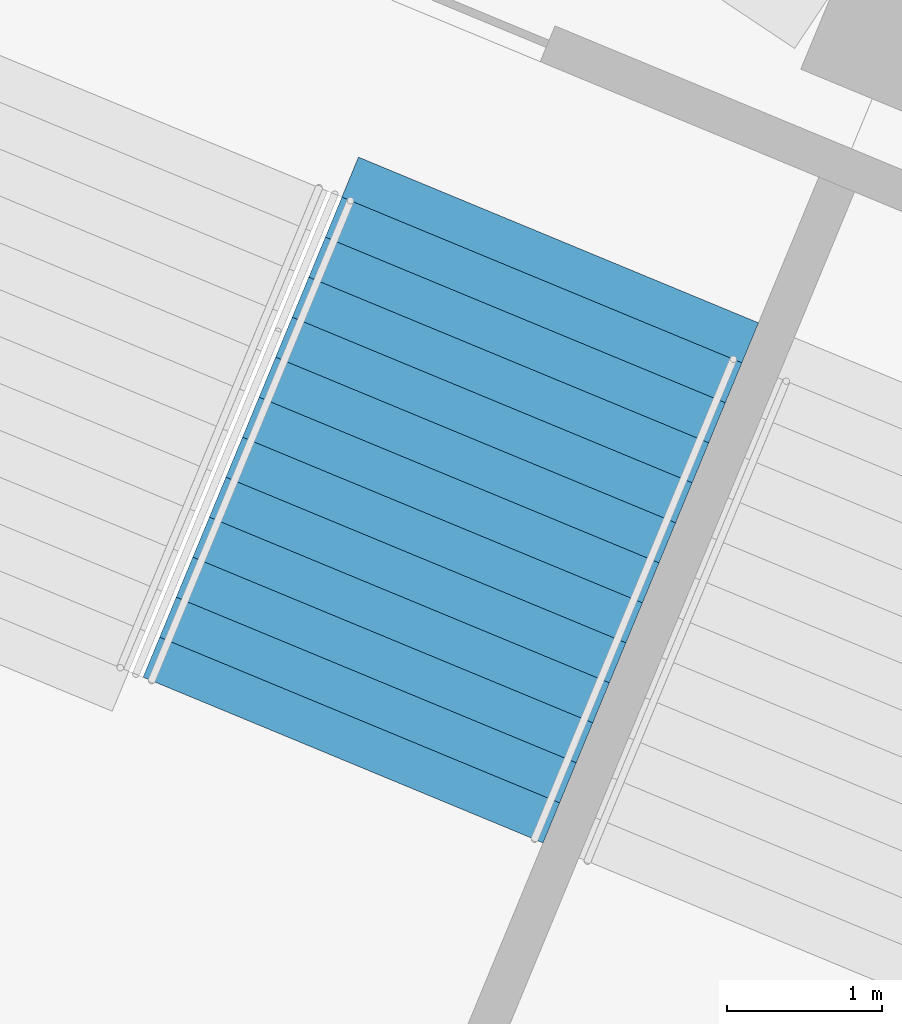
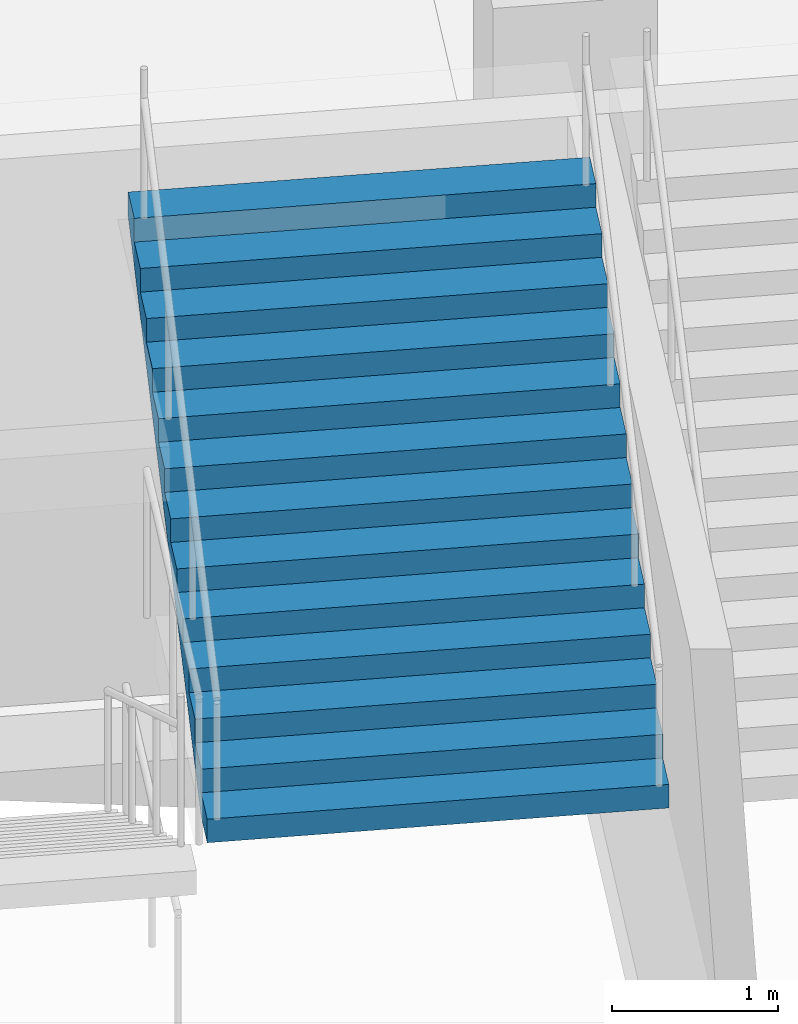
# One storey, part 107 of 199: 1 stair flight, 1 element without a shape of its own.
"""IFC4 building model written with IfcOpenShell, lengths in metres."""

from ifc_helpers import new_model, si_unit, direction, frame, origin, place, context, subcontext, project, spatial, faceted_brep, material, type_object, element, aggregate, save


model = new_model("IFC4")

# Units and contexts
model_context = context("Model", 3, precision=1e-05, world=origin(), true_north=direction((0.0, 1.0)))
body_context = subcontext(model_context, "Body", "Model", "MODEL_VIEW")
ifc_project = project(units=[si_unit("LENGTHUNIT", "METRE"), si_unit("AREAUNIT", "SQUARE_METRE"), si_unit("VOLUMEUNIT", "CUBIC_METRE"), si_unit("PLANEANGLEUNIT", "RADIAN"), si_unit("MASSUNIT", "GRAM", prefix="KILO")], contexts=[model_context])

# Site, building, storey
site_placement = place(None, origin())
site = spatial("IfcSite", under=ifc_project, at=site_placement, CompositionType="ELEMENT")
building_placement = place(site_placement, origin())
building = spatial("IfcBuilding", under=site, at=building_placement, Name="Ogive Plaza Stadium", CompositionType="ELEMENT")
storey_placement = place(building_placement, frame((0.0, 0.0, 9.0)))
storey = spatial("IfcBuildingStorey", under=building, at=storey_placement, Name="L02", CompositionType="ELEMENT", Elevation=9.0)

# Stair, stair flight
ifc_material_1 = material(Name="Concrete C40/50", Category="concrete")
stair_type = type_object("IfcStairType", Name="Exit stair", PredefinedType="STRAIGHT_RUN_STAIR", material=ifc_material_1)
stair_placement = place(storey_placement, origin())
stair = element("IfcStair", 1, at=stair_placement, inside=storey, type_object=stair_type, Name="Exit stair ST18A L02 to L03", PredefinedType="STRAIGHT_RUN_STAIR")
ifc_material_2 = material(Name="Concrete C40/50", Category="concrete")
stair_flight_type = type_object("IfcStairFlightType", Name="Exit stair flight", PredefinedType="STRAIGHT", material=ifc_material_2)
stair_flight_placement = place(storey_placement, frame((-52.9013671875, -94.14697265625, 2.25), z_axis=(0.0, 0.0, 1.0), x_axis=(0.382683432365, 0.923879532511, 0.0)))
stair_flight = element("IfcStairFlight", 2, at=stair_flight_placement, type_object=stair_flight_type, Name="ST18A flight 2", NumberOfRisers=13, NumberOfTreads=12, PredefinedType="STRAIGHT", RiserHeight=0.173076923, TreadLength=0.28, context=body_context, shape_type="Brep", body=[
    faceted_brep([(0.28515625, -1.39990234375, 0.0), (3.639892578125, -1.39990234375, 2.07373046875), (3.639892578125, -1.39990234375, 2.25), (3.360107421875, -1.39990234375, 2.25), (3.360107421875, -1.39990234375, 2.076904296875), (3.080078125, -1.39990234375, 2.076904296875), (3.080078125, -1.39990234375, 1.90380859375), (2.800048828125, -1.39990234375, 1.90380859375), (2.800048828125, -1.39990234375, 1.730712890625), (2.52001953125, -1.39990234375, 1.730712890625), (2.52001953125, -1.39990234375, 1.5576171875), (2.239990234375, -1.39990234375, 1.5576171875), (2.239990234375, -1.39990234375, 1.384521484375), (1.9599609375, -1.39990234375, 1.384521484375), (1.9599609375, -1.39990234375, 1.21142578125), (1.679931640625, -1.39990234375, 1.21142578125), (1.679931640625, -1.39990234375, 1.03857421875), (1.39990234375, -1.39990234375, 1.03857421875), (1.39990234375, -1.39990234375, 0.865478515625), (1.1201171875, -1.39990234375, 0.865478515625), (1.1201171875, -1.39990234375, 0.6923828125), (0.840087890625, -1.39990234375, 0.6923828125), (0.840087890625, -1.39990234375, 0.519287109375), (0.56005859375, -1.39990234375, 0.519287109375), (0.56005859375, -1.39990234375, 0.34619140625), (0.280029296875, -1.39990234375, 0.34619140625), (0.280029296875, -1.39990234375, 0.173095703125), (0.0, -1.39990234375, 0.173095703125), (0.0, -1.39990234375, 0.0), (0.0, 1.39990234375, 0.0), (0.0, 1.39990234375, 0.173095703125), (0.280029296875, 1.39990234375, 0.173095703125), (0.280029296875, 1.39990234375, 0.34619140625), (0.56005859375, 1.39990234375, 0.34619140625), (0.56005859375, 1.39990234375, 0.519287109375), (0.840087890625, 1.39990234375, 0.519287109375), (0.840087890625, 1.39990234375, 0.6923828125), (1.1201171875, 1.39990234375, 0.6923828125), (1.1201171875, 1.39990234375, 0.865478515625), (1.39990234375, 1.39990234375, 0.865478515625), (1.39990234375, 1.39990234375, 1.03857421875), (1.679931640625, 1.39990234375, 1.03857421875), (1.679931640625, 1.39990234375, 1.21142578125), (1.9599609375, 1.39990234375, 1.21142578125), (1.9599609375, 1.39990234375, 1.384521484375), (2.239990234375, 1.39990234375, 1.384521484375), (2.239990234375, 1.39990234375, 1.5576171875), (2.52001953125, 1.39990234375, 1.5576171875), (2.52001953125, 1.39990234375, 1.730712890625), (2.800048828125, 1.39990234375, 1.730712890625), (2.800048828125, 1.39990234375, 1.90380859375), (3.080078125, 1.39990234375, 1.90380859375), (3.080078125, 1.39990234375, 2.076904296875), (3.360107421875, 1.39990234375, 2.076904296875), (3.360107421875, 1.39990234375, 2.25), (3.639892578125, 1.39990234375, 2.25), (3.639892578125, 1.39990234375, 2.07373046875), (0.28515625, 1.39990234375, 0.0), (0.28515625, -1.0888671875, 0.0), (3.639892578125, -1.0888671875, 2.07373046875), (0.28515625, -0.77783203125, 0.0), (3.639892578125, -0.77783203125, 2.07373046875), (0.28515625, -0.466796875, 0.0), (3.639892578125, -0.466796875, 2.07373046875), (0.28515625, -0.155517578125, 0.0), (3.639892578125, -0.155517578125, 2.07373046875), (0.28515625, 0.155517578125, 0.0), (3.639892578125, 0.155517578125, 2.07373046875), (0.28515625, 0.466796875, 0.0), (3.639892578125, 0.466796875, 2.07373046875), (0.28515625, 0.77783203125, 0.0), (3.639892578125, 0.77783203125, 2.07373046875), (0.28515625, 1.0888671875, 0.0), (3.639892578125, 1.0888671875, 2.07373046875), (3.639892578125, -1.0888671875, 2.25), (3.639892578125, -0.77783203125, 2.25), (3.639892578125, -0.466796875, 2.25), (3.639892578125, -0.155517578125, 2.25), (3.639892578125, 0.155517578125, 2.25), (3.639892578125, 0.466796875, 2.25), (3.639892578125, 0.77783203125, 2.25), (3.639892578125, 1.0888671875, 2.25), (3.360107421875, -1.0888671875, 2.25), (3.360107421875, -0.77783203125, 2.25), (3.360107421875, -0.466796875, 2.25), (3.360107421875, -0.155517578125, 2.25), (3.360107421875, 0.155517578125, 2.25), (3.360107421875, 0.466796875, 2.25), (3.360107421875, 0.77783203125, 2.25), (3.360107421875, 1.0888671875, 2.25), (3.360107421875, -1.0888671875, 2.076904296875), (3.360107421875, -0.77783203125, 2.076904296875), (3.360107421875, -0.466796875, 2.076904296875), (3.360107421875, -0.155517578125, 2.076904296875), (3.360107421875, 0.155517578125, 2.076904296875), (3.360107421875, 0.466796875, 2.076904296875), (3.360107421875, 0.77783203125, 2.076904296875), (3.360107421875, 1.0888671875, 2.076904296875), (3.080078125, -1.0888671875, 2.076904296875), (3.080078125, -0.77783203125, 2.076904296875), (3.080078125, -0.466796875, 2.076904296875), (3.080078125, -0.155517578125, 2.076904296875), (3.080078125, 0.155517578125, 2.076904296875), (3.080078125, 0.466796875, 2.076904296875), (3.080078125, 0.77783203125, 2.076904296875), (3.080078125, 1.0888671875, 2.076904296875), (3.080078125, -1.0888671875, 1.90380859375), (3.080078125, -0.77783203125, 1.90380859375), (3.080078125, -0.466796875, 1.90380859375), (3.080078125, -0.155517578125, 1.90380859375), (3.080078125, 0.155517578125, 1.90380859375), (3.080078125, 0.466796875, 1.90380859375), (3.080078125, 0.77783203125, 1.90380859375), (3.080078125, 1.0888671875, 1.90380859375), (2.800048828125, -1.0888671875, 1.90380859375), (2.800048828125, -0.77783203125, 1.90380859375), (2.800048828125, -0.466796875, 1.90380859375), (2.800048828125, -0.155517578125, 1.90380859375), (2.800048828125, 0.155517578125, 1.90380859375), (2.800048828125, 0.466796875, 1.90380859375), (2.800048828125, 0.77783203125, 1.90380859375), (2.800048828125, 1.0888671875, 1.90380859375), (2.800048828125, -1.0888671875, 1.730712890625), (2.800048828125, -0.77783203125, 1.730712890625), (2.800048828125, -0.466796875, 1.730712890625), (2.800048828125, -0.155517578125, 1.730712890625), (2.800048828125, 0.155517578125, 1.730712890625), (2.800048828125, 0.466796875, 1.730712890625), (2.800048828125, 0.77783203125, 1.730712890625), (2.800048828125, 1.0888671875, 1.730712890625), (2.52001953125, -1.0888671875, 1.730712890625), (2.52001953125, -0.77783203125, 1.730712890625), (2.52001953125, -0.466796875, 1.730712890625), (2.52001953125, -0.155517578125, 1.730712890625), (2.52001953125, 0.155517578125, 1.730712890625), (2.52001953125, 0.466796875, 1.730712890625), (2.52001953125, 0.77783203125, 1.730712890625), (2.52001953125, 1.0888671875, 1.730712890625), (2.52001953125, -1.0888671875, 1.5576171875), (2.52001953125, -0.77783203125, 1.5576171875), (2.52001953125, -0.466796875, 1.5576171875), (2.52001953125, -0.155517578125, 1.5576171875), (2.52001953125, 0.155517578125, 1.5576171875), (2.52001953125, 0.466796875, 1.5576171875), (2.52001953125, 0.77783203125, 1.5576171875), (2.52001953125, 1.0888671875, 1.5576171875), (2.239990234375, -1.0888671875, 1.5576171875), (2.239990234375, -0.77783203125, 1.5576171875), (2.239990234375, -0.466796875, 1.5576171875), (2.239990234375, -0.155517578125, 1.5576171875), (2.239990234375, 0.155517578125, 1.5576171875), (2.239990234375, 0.466796875, 1.5576171875), (2.239990234375, 0.77783203125, 1.5576171875), (2.239990234375, 1.0888671875, 1.5576171875), (2.239990234375, -1.0888671875, 1.384521484375), (2.239990234375, -0.77783203125, 1.384521484375), (2.239990234375, -0.466796875, 1.384521484375), (2.239990234375, -0.155517578125, 1.384521484375), (2.239990234375, 0.155517578125, 1.384521484375), (2.239990234375, 0.466796875, 1.384521484375), (2.239990234375, 0.77783203125, 1.384521484375), (2.239990234375, 1.0888671875, 1.384521484375), (1.9599609375, -1.0888671875, 1.384521484375), (1.9599609375, -0.77783203125, 1.384521484375), (1.9599609375, -0.466796875, 1.384521484375), (1.9599609375, -0.155517578125, 1.384521484375), (1.9599609375, 0.155517578125, 1.384521484375), (1.9599609375, 0.466796875, 1.384521484375), (1.9599609375, 0.77783203125, 1.384521484375), (1.9599609375, 1.0888671875, 1.384521484375), (1.9599609375, -1.0888671875, 1.21142578125), (1.9599609375, -0.77783203125, 1.21142578125), (1.9599609375, -0.466796875, 1.21142578125), (1.9599609375, -0.155517578125, 1.21142578125), (1.9599609375, 0.155517578125, 1.21142578125), (1.9599609375, 0.466796875, 1.21142578125), (1.9599609375, 0.77783203125, 1.21142578125), (1.9599609375, 1.0888671875, 1.21142578125), (1.679931640625, -1.0888671875, 1.21142578125), (1.679931640625, -0.77783203125, 1.21142578125), (1.679931640625, -0.466796875, 1.21142578125), (1.679931640625, -0.155517578125, 1.21142578125), (1.679931640625, 0.155517578125, 1.21142578125), (1.679931640625, 0.466796875, 1.21142578125), (1.679931640625, 0.77783203125, 1.21142578125), (1.679931640625, 1.0888671875, 1.21142578125), (1.679931640625, -1.0888671875, 1.03857421875), (1.679931640625, -0.77783203125, 1.03857421875), (1.679931640625, -0.466796875, 1.03857421875), (1.679931640625, -0.155517578125, 1.03857421875), (1.679931640625, 0.155517578125, 1.03857421875), (1.679931640625, 0.466796875, 1.03857421875), (1.679931640625, 0.77783203125, 1.03857421875), (1.679931640625, 1.0888671875, 1.03857421875), (1.39990234375, -1.0888671875, 1.03857421875), (1.39990234375, -0.77783203125, 1.03857421875), (1.39990234375, -0.466796875, 1.03857421875), (1.39990234375, -0.155517578125, 1.03857421875), (1.39990234375, 0.155517578125, 1.03857421875), (1.39990234375, 0.466796875, 1.03857421875), (1.39990234375, 0.77783203125, 1.03857421875), (1.39990234375, 1.0888671875, 1.03857421875), (1.39990234375, -1.0888671875, 0.865478515625), (1.39990234375, -0.77783203125, 0.865478515625), (1.39990234375, -0.466796875, 0.865478515625), (1.39990234375, -0.155517578125, 0.865478515625), (1.39990234375, 0.155517578125, 0.865478515625), (1.39990234375, 0.466796875, 0.865478515625), (1.39990234375, 0.77783203125, 0.865478515625), (1.39990234375, 1.0888671875, 0.865478515625), (1.1201171875, -1.0888671875, 0.865478515625), (1.1201171875, -0.77783203125, 0.865478515625), (1.1201171875, -0.466796875, 0.865478515625), (1.1201171875, -0.155517578125, 0.865478515625), (1.1201171875, 0.155517578125, 0.865478515625), (1.1201171875, 0.466796875, 0.865478515625), (1.1201171875, 0.77783203125, 0.865478515625), (1.1201171875, 1.0888671875, 0.865478515625), (1.1201171875, -1.0888671875, 0.6923828125), (1.1201171875, -0.77783203125, 0.6923828125), (1.1201171875, -0.466796875, 0.6923828125), (1.1201171875, -0.155517578125, 0.6923828125), (1.1201171875, 0.155517578125, 0.6923828125), (1.1201171875, 0.466796875, 0.6923828125), (1.1201171875, 0.77783203125, 0.6923828125), (1.1201171875, 1.0888671875, 0.6923828125), (0.840087890625, -1.0888671875, 0.6923828125), (0.840087890625, -0.77783203125, 0.6923828125), (0.840087890625, -0.466796875, 0.6923828125), (0.840087890625, -0.155517578125, 0.6923828125), (0.840087890625, 0.155517578125, 0.6923828125), (0.840087890625, 0.466796875, 0.6923828125), (0.840087890625, 0.77783203125, 0.6923828125), (0.840087890625, 1.0888671875, 0.6923828125), (0.840087890625, -1.0888671875, 0.519287109375), (0.840087890625, -0.77783203125, 0.519287109375), (0.840087890625, -0.466796875, 0.519287109375), (0.840087890625, -0.155517578125, 0.519287109375), (0.840087890625, 0.155517578125, 0.519287109375), (0.840087890625, 0.466796875, 0.519287109375), (0.840087890625, 0.77783203125, 0.519287109375), (0.840087890625, 1.0888671875, 0.519287109375), (0.56005859375, -1.0888671875, 0.519287109375), (0.56005859375, -0.77783203125, 0.519287109375), (0.56005859375, -0.466796875, 0.519287109375), (0.56005859375, -0.155517578125, 0.519287109375), (0.56005859375, 0.155517578125, 0.519287109375), (0.56005859375, 0.466796875, 0.519287109375), (0.56005859375, 0.77783203125, 0.519287109375), (0.56005859375, 1.0888671875, 0.519287109375), (0.56005859375, -1.0888671875, 0.34619140625), (0.56005859375, -0.77783203125, 0.34619140625), (0.56005859375, -0.466796875, 0.34619140625), (0.56005859375, -0.155517578125, 0.34619140625), (0.56005859375, 0.155517578125, 0.34619140625), (0.56005859375, 0.466796875, 0.34619140625), (0.56005859375, 0.77783203125, 0.34619140625), (0.56005859375, 1.0888671875, 0.34619140625), (0.280029296875, -1.0888671875, 0.34619140625), (0.280029296875, -0.77783203125, 0.34619140625), (0.280029296875, -0.466796875, 0.34619140625), (0.280029296875, -0.155517578125, 0.34619140625), (0.280029296875, 0.155517578125, 0.34619140625), (0.280029296875, 0.466796875, 0.34619140625), (0.280029296875, 0.77783203125, 0.34619140625), (0.280029296875, 1.0888671875, 0.34619140625), (0.280029296875, -1.0888671875, 0.173095703125), (0.280029296875, -0.77783203125, 0.173095703125), (0.280029296875, -0.466796875, 0.173095703125), (0.280029296875, -0.155517578125, 0.173095703125), (0.280029296875, 0.155517578125, 0.173095703125), (0.280029296875, 0.466796875, 0.173095703125), (0.280029296875, 0.77783203125, 0.173095703125), (0.280029296875, 1.0888671875, 0.173095703125), (0.0, -1.0888671875, 0.173095703125), (0.0, -0.77783203125, 0.173095703125), (0.0, -0.466796875, 0.173095703125), (0.0, -0.155517578125, 0.173095703125), (0.0, 0.155517578125, 0.173095703125), (0.0, 0.466796875, 0.173095703125), (0.0, 0.77783203125, 0.173095703125), (0.0, 1.0888671875, 0.173095703125), (0.0, -1.0888671875, 0.0), (0.0, -0.77783203125, 0.0), (0.0, -0.466796875, 0.0), (0.0, -0.155517578125, 0.0), (0.0, 0.155517578125, 0.0), (0.0, 0.466796875, 0.0), (0.0, 0.77783203125, 0.0), (0.0, 1.0888671875, 0.0)], [[[0, 1, 2, 3, 4, 5, 6, 7, 8, 9, 10, 11, 12, 13, 14, 15, 16, 17, 18, 19, 20, 21, 22, 23, 24, 25, 26, 27, 28]], [[29, 30, 31, 32, 33, 34, 35, 36, 37, 38, 39, 40, 41, 42, 43, 44, 45, 46, 47, 48, 49, 50, 51, 52, 53, 54, 55, 56, 57]], [[0, 58, 59, 1]], [[58, 60, 61, 59]], [[60, 62, 63, 61]], [[62, 64, 65, 63]], [[64, 66, 67, 65]], [[66, 68, 69, 67]], [[68, 70, 71, 69]], [[70, 72, 73, 71]], [[72, 57, 56, 73]], [[1, 59, 74, 2]], [[59, 61, 75, 74]], [[61, 63, 76, 75]], [[63, 65, 77, 76]], [[65, 67, 78, 77]], [[67, 69, 79, 78]], [[69, 71, 80, 79]], [[71, 73, 81, 80]], [[73, 56, 55, 81]], [[2, 74, 82, 3]], [[74, 75, 83, 82]], [[75, 76, 84, 83]], [[76, 77, 85, 84]], [[77, 78, 86, 85]], [[78, 79, 87, 86]], [[79, 80, 88, 87]], [[80, 81, 89, 88]], [[81, 55, 54, 89]], [[3, 82, 90, 4]], [[82, 83, 91, 90]], [[83, 84, 92, 91]], [[84, 85, 93, 92]], [[85, 86, 94, 93]], [[86, 87, 95, 94]], [[87, 88, 96, 95]], [[88, 89, 97, 96]], [[89, 54, 53, 97]], [[4, 90, 98, 5]], [[90, 91, 99, 98]], [[91, 92, 100, 99]], [[92, 93, 101, 100]], [[93, 94, 102, 101]], [[94, 95, 103, 102]], [[95, 96, 104, 103]], [[96, 97, 105, 104]], [[97, 53, 52, 105]], [[5, 98, 106, 6]], [[98, 99, 107, 106]], [[99, 100, 108, 107]], [[100, 101, 109, 108]], [[101, 102, 110, 109]], [[102, 103, 111, 110]], [[103, 104, 112, 111]], [[104, 105, 113, 112]], [[105, 52, 51, 113]], [[6, 106, 114, 7]], [[106, 107, 115, 114]], [[107, 108, 116, 115]], [[108, 109, 117, 116]], [[109, 110, 118, 117]], [[110, 111, 119, 118]], [[111, 112, 120, 119]], [[112, 113, 121, 120]], [[113, 51, 50, 121]], [[7, 114, 122, 8]], [[114, 115, 123, 122]], [[115, 116, 124, 123]], [[116, 117, 125, 124]], [[117, 118, 126, 125]], [[118, 119, 127, 126]], [[119, 120, 128, 127]], [[120, 121, 129, 128]], [[121, 50, 49, 129]], [[8, 122, 130, 9]], [[122, 123, 131, 130]], [[123, 124, 132, 131]], [[124, 125, 133, 132]], [[125, 126, 134, 133]], [[126, 127, 135, 134]], [[127, 128, 136, 135]], [[128, 129, 137, 136]], [[129, 49, 48, 137]], [[9, 130, 138, 10]], [[130, 131, 139, 138]], [[131, 132, 140, 139]], [[132, 133, 141, 140]], [[133, 134, 142, 141]], [[134, 135, 143, 142]], [[135, 136, 144, 143]], [[136, 137, 145, 144]], [[137, 48, 47, 145]], [[10, 138, 146, 11]], [[138, 139, 147, 146]], [[139, 140, 148, 147]], [[140, 141, 149, 148]], [[141, 142, 150, 149]], [[142, 143, 151, 150]], [[143, 144, 152, 151]], [[144, 145, 153, 152]], [[145, 47, 46, 153]], [[11, 146, 154, 12]], [[146, 147, 155, 154]], [[147, 148, 156, 155]], [[148, 149, 157, 156]], [[149, 150, 158, 157]], [[150, 151, 159, 158]], [[151, 152, 160, 159]], [[152, 153, 161, 160]], [[153, 46, 45, 161]], [[12, 154, 162, 13]], [[154, 155, 163, 162]], [[155, 156, 164, 163]], [[156, 157, 165, 164]], [[157, 158, 166, 165]], [[158, 159, 167, 166]], [[159, 160, 168, 167]], [[160, 161, 169, 168]], [[161, 45, 44, 169]], [[13, 162, 170, 14]], [[162, 163, 171, 170]], [[163, 164, 172, 171]], [[164, 165, 173, 172]], [[165, 166, 174, 173]], [[166, 167, 175, 174]], [[167, 168, 176, 175]], [[168, 169, 177, 176]], [[169, 44, 43, 177]], [[14, 170, 178, 15]], [[170, 171, 179, 178]], [[171, 172, 180, 179]], [[172, 173, 181, 180]], [[173, 174, 182, 181]], [[174, 175, 183, 182]], [[175, 176, 184, 183]], [[176, 177, 185, 184]], [[177, 43, 42, 185]], [[15, 178, 186, 16]], [[178, 179, 187, 186]], [[179, 180, 188, 187]], [[180, 181, 189, 188]], [[181, 182, 190, 189]], [[182, 183, 191, 190]], [[183, 184, 192, 191]], [[184, 185, 193, 192]], [[185, 42, 41, 193]], [[16, 186, 194, 17]], [[186, 187, 195, 194]], [[187, 188, 196, 195]], [[188, 189, 197, 196]], [[189, 190, 198, 197]], [[190, 191, 199, 198]], [[191, 192, 200, 199]], [[192, 193, 201, 200]], [[193, 41, 40, 201]], [[17, 194, 202, 18]], [[194, 195, 203, 202]], [[195, 196, 204, 203]], [[196, 197, 205, 204]], [[197, 198, 206, 205]], [[198, 199, 207, 206]], [[199, 200, 208, 207]], [[200, 201, 209, 208]], [[201, 40, 39, 209]], [[18, 202, 210, 19]], [[202, 203, 211, 210]], [[203, 204, 212, 211]], [[204, 205, 213, 212]], [[205, 206, 214, 213]], [[206, 207, 215, 214]], [[207, 208, 216, 215]], [[208, 209, 217, 216]], [[209, 39, 38, 217]], [[19, 210, 218, 20]], [[210, 211, 219, 218]], [[211, 212, 220, 219]], [[212, 213, 221, 220]], [[213, 214, 222, 221]], [[214, 215, 223, 222]], [[215, 216, 224, 223]], [[216, 217, 225, 224]], [[217, 38, 37, 225]], [[20, 218, 226, 21]], [[218, 219, 227, 226]], [[219, 220, 228, 227]], [[220, 221, 229, 228]], [[221, 222, 230, 229]], [[222, 223, 231, 230]], [[223, 224, 232, 231]], [[224, 225, 233, 232]], [[225, 37, 36, 233]], [[21, 226, 234, 22]], [[226, 227, 235, 234]], [[227, 228, 236, 235]], [[228, 229, 237, 236]], [[229, 230, 238, 237]], [[230, 231, 239, 238]], [[231, 232, 240, 239]], [[232, 233, 241, 240]], [[233, 36, 35, 241]], [[22, 234, 242, 23]], [[234, 235, 243, 242]], [[235, 236, 244, 243]], [[236, 237, 245, 244]], [[237, 238, 246, 245]], [[238, 239, 247, 246]], [[239, 240, 248, 247]], [[240, 241, 249, 248]], [[241, 35, 34, 249]], [[23, 242, 250, 24]], [[242, 243, 251, 250]], [[243, 244, 252, 251]], [[244, 245, 253, 252]], [[245, 246, 254, 253]], [[246, 247, 255, 254]], [[247, 248, 256, 255]], [[248, 249, 257, 256]], [[249, 34, 33, 257]], [[24, 250, 258, 25]], [[250, 251, 259, 258]], [[251, 252, 260, 259]], [[252, 253, 261, 260]], [[253, 254, 262, 261]], [[254, 255, 263, 262]], [[255, 256, 264, 263]], [[256, 257, 265, 264]], [[257, 33, 32, 265]], [[25, 258, 266, 26]], [[258, 259, 267, 266]], [[259, 260, 268, 267]], [[260, 261, 269, 268]], [[261, 262, 270, 269]], [[262, 263, 271, 270]], [[263, 264, 272, 271]], [[264, 265, 273, 272]], [[265, 32, 31, 273]], [[26, 266, 274, 27]], [[266, 267, 275, 274]], [[267, 268, 276, 275]], [[268, 269, 277, 276]], [[269, 270, 278, 277]], [[270, 271, 279, 278]], [[271, 272, 280, 279]], [[272, 273, 281, 280]], [[273, 31, 30, 281]], [[27, 274, 282, 28]], [[274, 275, 283, 282]], [[275, 276, 284, 283]], [[276, 277, 285, 284]], [[277, 278, 286, 285]], [[278, 279, 287, 286]], [[279, 280, 288, 287]], [[280, 281, 289, 288]], [[281, 30, 29, 289]], [[28, 282, 58, 0]], [[282, 283, 60, 58]], [[283, 284, 62, 60]], [[284, 285, 64, 62]], [[285, 286, 66, 64]], [[286, 287, 68, 66]], [[287, 288, 70, 68]], [[288, 289, 72, 70]], [[289, 29, 57, 72]]]),
])
aggregate(stair, [stair_flight])

save(model, "model.ifc")
